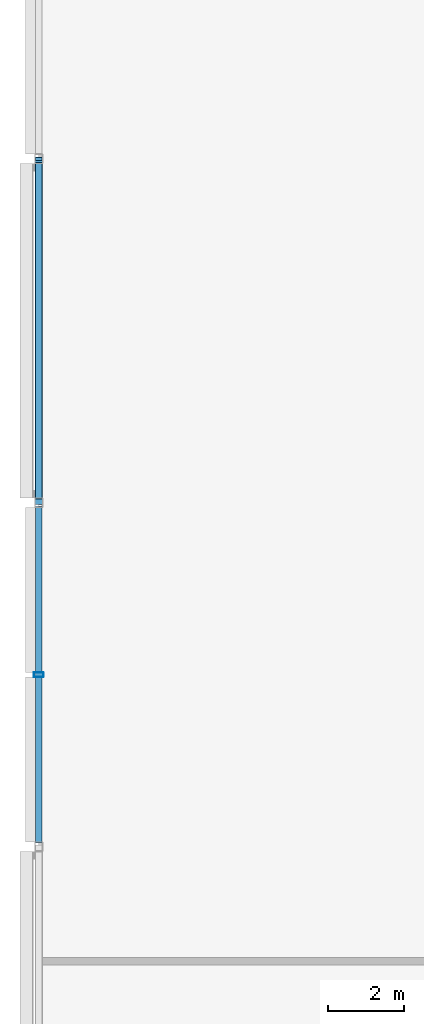
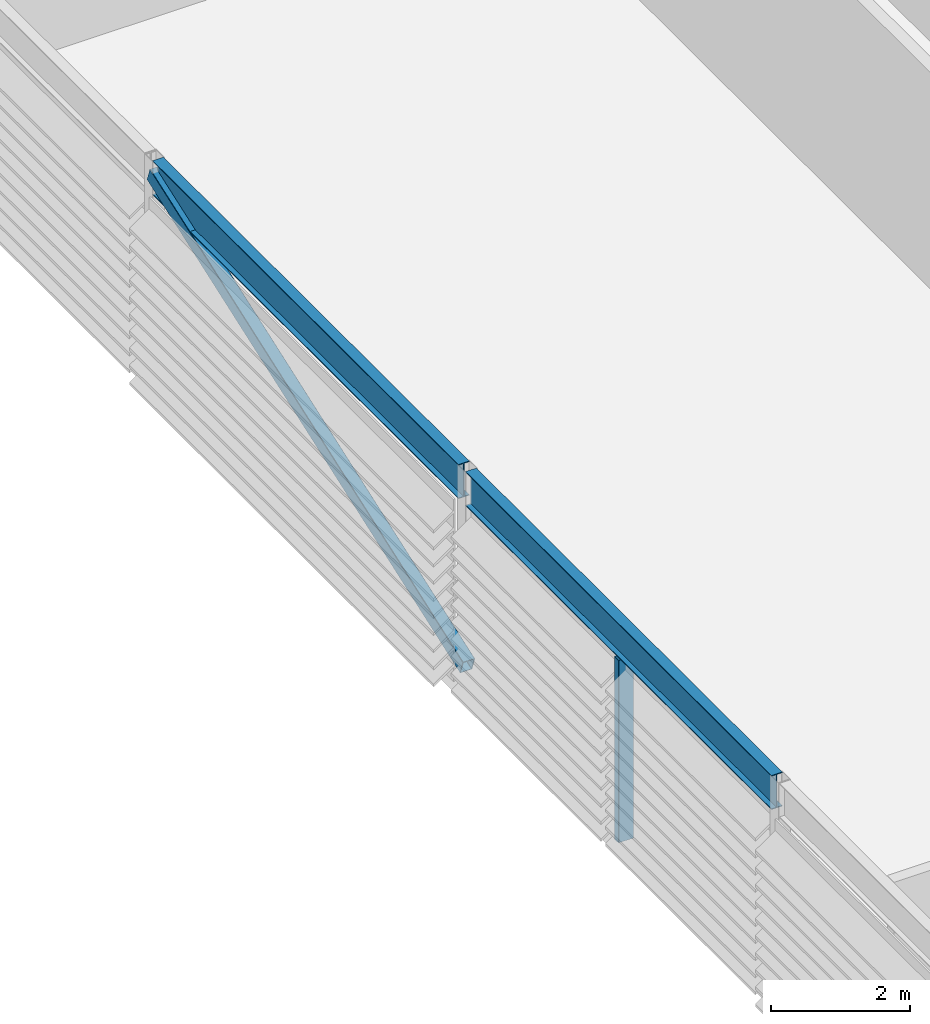
# One storey, part 7 of 28: 2 beams, 2 members.
"""IFC4 building model written with IfcOpenShell, lengths in metres."""

from ifc_helpers import new_model, si_unit, direction, frame, origin, origin_2d, place, context, subcontext, project, spatial, hollow_rectangle, i_section, extrude, material, material_profile, profile_set, type_object, element, save


model = new_model("IFC4")

# Units and contexts
model_context = context("Model", 3, precision=1e-05, world=origin(), true_north=direction((0.0, 1.0)))
body_context = subcontext(model_context, "Body", "Model", "MODEL_VIEW")
ifc_project = project(units=[si_unit("LENGTHUNIT", "METRE"), si_unit("AREAUNIT", "SQUARE_METRE"), si_unit("VOLUMEUNIT", "CUBIC_METRE"), si_unit("PLANEANGLEUNIT", "RADIAN"), si_unit("MASSUNIT", "GRAM", prefix="KILO")], contexts=[model_context])

# Site, building, storey
site_placement = place(None, origin())
site = spatial("IfcSite", under=ifc_project, at=site_placement, CompositionType="ELEMENT")
building_placement = place(site_placement, origin())
building = spatial("IfcBuilding", under=site, at=building_placement, Name="Madar Terraces", CompositionType="ELEMENT")
storey_placement = place(building_placement, frame((0.0, 0.0, 305.89990234375)))
storey = spatial("IfcBuildingStorey", under=building, at=storey_placement, Name="L79", CompositionType="ELEMENT", Elevation=305.89990234375)

# Beams
ifc_material_1 = material(Name="Steel ASTM A992 Grade 50", Category="steel")
ifc_material_profile_1 = material_profile(ifc_material_1, i_section(OverallWidth=0.1787109375, OverallDepth=0.60205078125, WebThickness=0.010986328125, FlangeThickness=0.014892578125, at=origin_2d()), Name="W24x62")
ifc_profile_set_1 = profile_set([ifc_material_profile_1], Name="Steel ASTM A992 Grade 50")
beam_type = type_object("IfcBeamType", Name="CF2 W24x62", PredefinedType="BEAM", material=ifc_profile_set_1)
for number, where, z_axis, x_axis, name in (
    (1, (1.199951171875, 32.8984375, 3.4990234375), (0.0, -1.0, 0.0), (1.0, 0.0, 0.0), "Crown frame ring beam CF2"),
    (2, (1.199951171875, 23.8984375, 3.4990234375), (0.0, -1.0, 0.0), (1.0, 0.0, 0.0), "Crown frame ring beam CF2"),
):
    element("IfcBeam", number, at=place(storey_placement, frame(where, z_axis=z_axis, x_axis=x_axis)), inside=storey, type_object=beam_type, Name=name, PredefinedType="BEAM", context=body_context, shape_type="SweptSolid", body=[
        extrude(i_section(OverallWidth=0.1787109375, OverallDepth=0.60205078125, WebThickness=0.010986328125, FlangeThickness=0.014892578125, at=origin_2d()), origin(), (0.0, 0.0, 1.0), 8.796875),
    ])

# Members
ifc_material_2 = material(Name="Steel ASTM A500 Grade C", Category="steel")
ifc_material_profile_2 = material_profile(ifc_material_2, hollow_rectangle(XDim=0.203125, YDim=0.25390625, WallThickness=0.009521484375, InnerFilletRadius=0.00439453125, OuterFilletRadius=0.01318359375, at=origin_2d()), Name="HSS10x8x.375")
ifc_profile_set_2 = profile_set([ifc_material_profile_2], Name="Steel ASTM A500 Grade C")
member_type_1 = type_object("IfcMemberType", Name="CF5 crown frame brace HSS10x8x.375", PredefinedType="BRACE", material=ifc_profile_set_2)
member_1_placement = place(storey_placement, frame((1.199951171875, 33.0, 3.4990234375), z_axis=(0.0, -0.942248571399, -0.334914361736), x_axis=(1.0, 0.0, 0.0)))
element("IfcMember", 3, at=member_1_placement, inside=storey, type_object=member_type_1, Name="Crown frame brace CF5", PredefinedType="BRACE", context=body_context, shape_type="SweptSolid", body=[
    extrude(hollow_rectangle(XDim=0.203125, YDim=0.25390625, WallThickness=0.009521484375, InnerFilletRadius=0.00439453125, OuterFilletRadius=0.01318359375, at=origin_2d()), origin(), (0.0, 0.0, 1.0), 9.551513671875),
])
ifc_material_3 = material(Name="Steel ASTM A500 Grade C", Category="steel")
ifc_material_profile_3 = material_profile(ifc_material_3, hollow_rectangle(XDim=0.126953125, YDim=0.25390625, WallThickness=0.00634765625, InnerFilletRadius=0.0029296875, OuterFilletRadius=0.0087890625, at=origin_2d()), Name="HSS10x5x.25")
ifc_profile_set_3 = profile_set([ifc_material_profile_3], Name="Steel ASTM A500 Grade C")
member_type_2 = type_object("IfcMemberType", Name="LS2 HSS10x5x.25", PredefinedType="POST", material=ifc_profile_set_3)
member_2_placement = place(storey_placement, frame((1.199951171875, 19.5, 0.0), z_axis=(0.0, 0.0, 1.0), x_axis=(0.0, -1.0, 0.0)))
element("IfcMember", 4, at=member_2_placement, inside=storey, type_object=member_type_2, Name="Crown louvre post LS2", PredefinedType="POST", context=body_context, shape_type="SweptSolid", body=[
    extrude(hollow_rectangle(XDim=0.126953125, YDim=0.25390625, WallThickness=0.00634765625, InnerFilletRadius=0.0029296875, OuterFilletRadius=0.0087890625, at=origin_2d()), origin(), (0.0, 0.0, 1.0), 3.197998046875),
])

save(model, "model.ifc")
